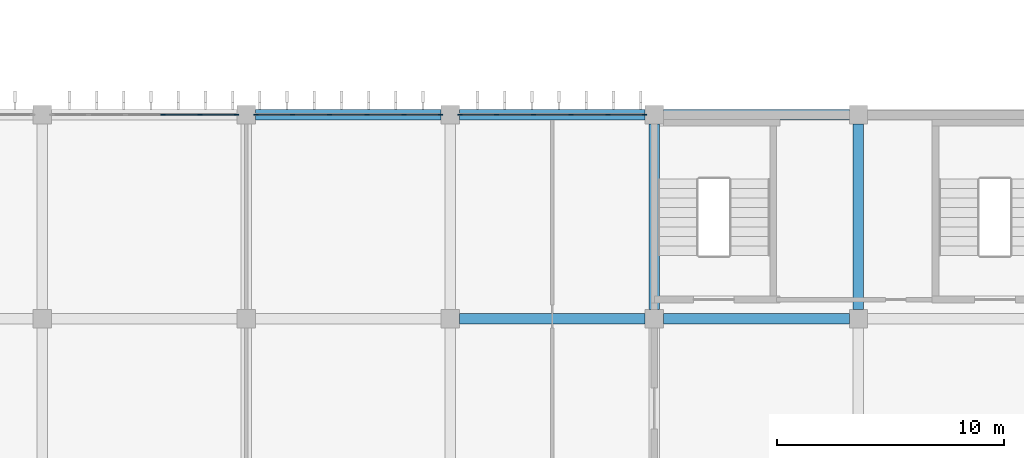
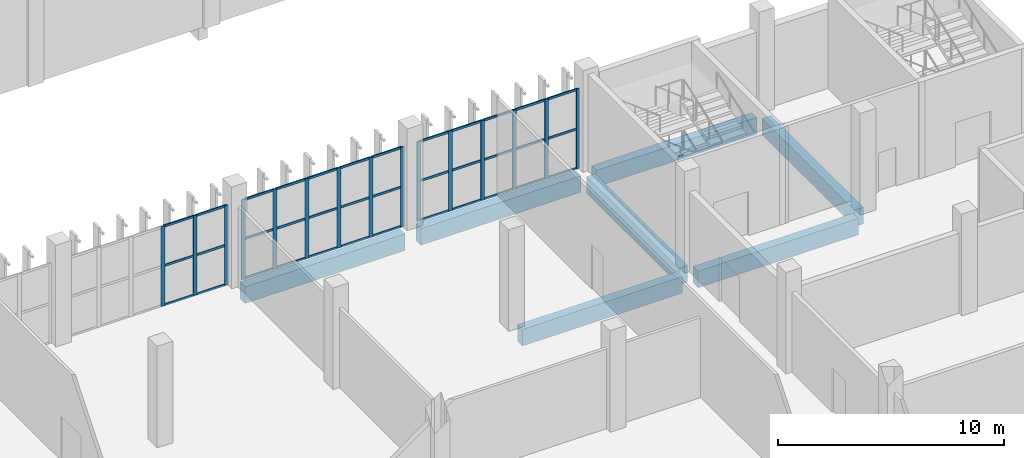
# One storey, part 28 of 185: 51 members, 7 beams, 3 elements without a shape of their own.
"""IFC4 building model written with IfcOpenShell, lengths in metres."""

from ifc_helpers import new_model, si_unit, direction, frame, origin, origin_2d, place, context, subcontext, project, spatial, rectangle, extrude, material, layer, layer_set, material_profile, profile_set, type_object, element, aggregate, save


model = new_model("IFC4")

# Units and contexts
model_context = context("Model", 3, precision=1e-05, world=origin(), true_north=direction((0.0, 1.0)))
body_context = subcontext(model_context, "Body", "Model", "MODEL_VIEW")
ifc_project = project(units=[si_unit("LENGTHUNIT", "METRE"), si_unit("AREAUNIT", "SQUARE_METRE"), si_unit("VOLUMEUNIT", "CUBIC_METRE"), si_unit("PLANEANGLEUNIT", "RADIAN"), si_unit("MASSUNIT", "GRAM", prefix="KILO")], contexts=[model_context])

# Site, building, storey
site_placement = place(None, origin())
site = spatial("IfcSite", under=ifc_project, at=site_placement, CompositionType="ELEMENT")
building_placement = place(site_placement, origin())
building = spatial("IfcBuilding", under=site, at=building_placement, Name="Opaline Strait Convention Centre", CompositionType="ELEMENT")
storey_placement = place(building_placement, frame((0.0, 0.0, 6.0)))
storey = spatial("IfcBuildingStorey", under=building, at=storey_placement, Name="L01", CompositionType="ELEMENT", Elevation=6.0)

# Curtain wall, members
ifc_material_1 = material(Name="Aluminium framed double glazing", Category="aluminium")
ifc_layer = layer(ifc_material_1, 0.199951171875)
ifc_layer_set = layer_set([ifc_layer], Name="Aluminium framed double glazing")
curtain_wall_type = type_object("IfcCurtainWallType", Name="Curtain wall 1500 module", PredefinedType="NOTDEFINED", material=ifc_layer_set)
curtain_wall_1_placement = place(storey_placement, origin())
curtain_wall_1 = element("IfcCurtainWall", 1, at=curtain_wall_1_placement, inside=storey, type_object=curtain_wall_type, Name="L01 N facade glazing bay 4", PredefinedType="NOTDEFINED")
ifc_material_2 = material(Name="Aluminium alloy 6063", Category="aluminium")
ifc_material_profile_1 = material_profile(ifc_material_2, rectangle(XDim=0.06005859375, YDim=0.199951171875, at=origin_2d()), Name="Curtain wall mullion 60x200")
ifc_profile_set_1 = profile_set([ifc_material_profile_1], Name="Aluminium alloy 6063")
member_type_1 = type_object("IfcMemberType", Name="Curtain wall mullion 60x200", PredefinedType="MULLION", material=ifc_profile_set_1)
member_1_placement = place(storey_placement, frame((41.320068359375, 99.0, 0.0), z_axis=(0.0, 0.0, 1.0), x_axis=(0.0, 1.0, 0.0)))
member_1 = element("IfcMember", 2, at=member_1_placement, type_object=member_type_1, Name="RCW1 mullion 4", PredefinedType="MULLION", context=body_context, shape_type="SweptSolid", body=[
    extrude(rectangle(XDim=0.06005859375, YDim=0.199951171875, at=origin_2d()), origin(), (0.0, 0.0, 1.0), 4.320068359375),
])
member_2_placement = place(storey_placement, frame((42.9599609375, 99.0, 0.0), z_axis=(0.0, 0.0, 1.0), x_axis=(0.0, 1.0, 0.0)))
member_2 = element("IfcMember", 3, at=member_2_placement, type_object=member_type_1, Name="RCW1 mullion 5", PredefinedType="MULLION", context=body_context, shape_type="SweptSolid", body=[
    extrude(rectangle(XDim=0.06005859375, YDim=0.199951171875, at=origin_2d()), origin(), (0.0, 0.0, 1.0), 4.320068359375),
])
member_3_placement = place(storey_placement, frame((44.570068359375, 99.0, 0.0), z_axis=(0.0, 0.0, 1.0), x_axis=(0.0, 1.0, 0.0)))
member_3 = element("IfcMember", 4, at=member_3_placement, type_object=member_type_1, Name="RCW1 mullion 6", PredefinedType="MULLION", context=body_context, shape_type="SweptSolid", body=[
    extrude(rectangle(XDim=0.06005859375, YDim=0.199951171875, at=origin_2d()), origin(), (0.0, 0.0, 1.0), 4.320068359375),
])

curtain_wall_2_placement = place(storey_placement, origin())
curtain_wall_2 = element("IfcCurtainWall", 5, at=curtain_wall_2_placement, inside=storey, type_object=curtain_wall_type, Name="L01 N facade glazing bay 5", PredefinedType="NOTDEFINED")
member_4_placement = place(storey_placement, frame((45.429931640625, 99.0, 0.0), z_axis=(0.0, 0.0, 1.0), x_axis=(0.0, 1.0, 0.0)))
member_4 = element("IfcMember", 6, at=member_4_placement, type_object=member_type_1, Name="RCW1 mullion 1", PredefinedType="MULLION", context=body_context, shape_type="SweptSolid", body=[
    extrude(rectangle(XDim=0.06005859375, YDim=0.199951171875, at=origin_2d()), origin(), (0.0, 0.0, 1.0), 4.320068359375),
])
member_5_placement = place(storey_placement, frame((47.0400390625, 99.0, 0.0), z_axis=(0.0, 0.0, 1.0), x_axis=(0.0, 1.0, 0.0)))
member_5 = element("IfcMember", 7, at=member_5_placement, type_object=member_type_1, Name="RCW1 mullion 2", PredefinedType="MULLION", context=body_context, shape_type="SweptSolid", body=[
    extrude(rectangle(XDim=0.06005859375, YDim=0.199951171875, at=origin_2d()), origin(), (0.0, 0.0, 1.0), 4.320068359375),
])
member_6_placement = place(storey_placement, frame((48.679931640625, 99.0, 0.0), z_axis=(0.0, 0.0, 1.0), x_axis=(0.0, 1.0, 0.0)))
member_6 = element("IfcMember", 8, at=member_6_placement, type_object=member_type_1, Name="RCW1 mullion 3", PredefinedType="MULLION", context=body_context, shape_type="SweptSolid", body=[
    extrude(rectangle(XDim=0.06005859375, YDim=0.199951171875, at=origin_2d()), origin(), (0.0, 0.0, 1.0), 4.320068359375),
])
member_7_placement = place(storey_placement, frame((50.320068359375, 99.0, 0.0), z_axis=(0.0, 0.0, 1.0), x_axis=(0.0, 1.0, 0.0)))
member_7 = element("IfcMember", 9, at=member_7_placement, type_object=member_type_1, Name="RCW1 mullion 4", PredefinedType="MULLION", context=body_context, shape_type="SweptSolid", body=[
    extrude(rectangle(XDim=0.06005859375, YDim=0.199951171875, at=origin_2d()), origin(), (0.0, 0.0, 1.0), 4.320068359375),
])
member_8_placement = place(storey_placement, frame((51.9599609375, 99.0, 0.0), z_axis=(0.0, 0.0, 1.0), x_axis=(0.0, 1.0, 0.0)))
member_8 = element("IfcMember", 10, at=member_8_placement, type_object=member_type_1, Name="RCW1 mullion 5", PredefinedType="MULLION", context=body_context, shape_type="SweptSolid", body=[
    extrude(rectangle(XDim=0.06005859375, YDim=0.199951171875, at=origin_2d()), origin(), (0.0, 0.0, 1.0), 4.320068359375),
])
member_9_placement = place(storey_placement, frame((53.570068359375, 99.0, 0.0), z_axis=(0.0, 0.0, 1.0), x_axis=(0.0, 1.0, 0.0)))
member_9 = element("IfcMember", 11, at=member_9_placement, type_object=member_type_1, Name="RCW1 mullion 6", PredefinedType="MULLION", context=body_context, shape_type="SweptSolid", body=[
    extrude(rectangle(XDim=0.06005859375, YDim=0.199951171875, at=origin_2d()), origin(), (0.0, 0.0, 1.0), 4.320068359375),
])

curtain_wall_3_placement = place(storey_placement, origin())
curtain_wall_3 = element("IfcCurtainWall", 12, at=curtain_wall_3_placement, inside=storey, type_object=curtain_wall_type, Name="L01 N facade glazing bay 6", PredefinedType="NOTDEFINED")
member_10_placement = place(storey_placement, frame((54.429931640625, 99.0, 0.0), z_axis=(0.0, 0.0, 1.0), x_axis=(0.0, 1.0, 0.0)))
member_10 = element("IfcMember", 13, at=member_10_placement, type_object=member_type_1, Name="RCW1 mullion 1", PredefinedType="MULLION", context=body_context, shape_type="SweptSolid", body=[
    extrude(rectangle(XDim=0.06005859375, YDim=0.199951171875, at=origin_2d()), origin(), (0.0, 0.0, 1.0), 4.320068359375),
])
member_11_placement = place(storey_placement, frame((56.0400390625, 99.0, 0.0), z_axis=(0.0, 0.0, 1.0), x_axis=(0.0, 1.0, 0.0)))
member_11 = element("IfcMember", 14, at=member_11_placement, type_object=member_type_1, Name="RCW1 mullion 2", PredefinedType="MULLION", context=body_context, shape_type="SweptSolid", body=[
    extrude(rectangle(XDim=0.06005859375, YDim=0.199951171875, at=origin_2d()), origin(), (0.0, 0.0, 1.0), 4.320068359375),
])
member_12_placement = place(storey_placement, frame((57.679931640625, 99.0, 0.0), z_axis=(0.0, 0.0, 1.0), x_axis=(0.0, 1.0, 0.0)))
member_12 = element("IfcMember", 15, at=member_12_placement, type_object=member_type_1, Name="RCW1 mullion 3", PredefinedType="MULLION", context=body_context, shape_type="SweptSolid", body=[
    extrude(rectangle(XDim=0.06005859375, YDim=0.199951171875, at=origin_2d()), origin(), (0.0, 0.0, 1.0), 4.320068359375),
])
member_13_placement = place(storey_placement, frame((59.320068359375, 99.0, 0.0), z_axis=(0.0, 0.0, 1.0), x_axis=(0.0, 1.0, 0.0)))
member_13 = element("IfcMember", 16, at=member_13_placement, type_object=member_type_1, Name="RCW1 mullion 4", PredefinedType="MULLION", context=body_context, shape_type="SweptSolid", body=[
    extrude(rectangle(XDim=0.06005859375, YDim=0.199951171875, at=origin_2d()), origin(), (0.0, 0.0, 1.0), 4.320068359375),
])
member_14_placement = place(storey_placement, frame((60.9599609375, 99.0, 0.0), z_axis=(0.0, 0.0, 1.0), x_axis=(0.0, 1.0, 0.0)))
member_14 = element("IfcMember", 17, at=member_14_placement, type_object=member_type_1, Name="RCW1 mullion 5", PredefinedType="MULLION", context=body_context, shape_type="SweptSolid", body=[
    extrude(rectangle(XDim=0.06005859375, YDim=0.199951171875, at=origin_2d()), origin(), (0.0, 0.0, 1.0), 4.320068359375),
])
member_15_placement = place(storey_placement, frame((62.570068359375, 99.0, 0.0), z_axis=(0.0, 0.0, 1.0), x_axis=(0.0, 1.0, 0.0)))
member_15 = element("IfcMember", 18, at=member_15_placement, type_object=member_type_1, Name="RCW1 mullion 6", PredefinedType="MULLION", context=body_context, shape_type="SweptSolid", body=[
    extrude(rectangle(XDim=0.06005859375, YDim=0.199951171875, at=origin_2d()), origin(), (0.0, 0.0, 1.0), 4.320068359375),
])

# Member
ifc_material_profile_2 = material_profile(ifc_material_2, rectangle(XDim=0.06005859375, YDim=0.1201171875, at=origin_2d()), Name="Curtain wall transom 60x120")
ifc_profile_set_2 = profile_set([ifc_material_profile_2], Name="Aluminium alloy 6063")
member_type_2 = type_object("IfcMemberType", Name="Curtain wall transom 60x120", PredefinedType="USERDEFINED", material=ifc_profile_set_2)
member_16_placement = place(storey_placement, frame((41.35009765625, 99.0, 0.030029296875), z_axis=(1.0, 0.0, 0.0), x_axis=(0.0, 1.0, 0.0)))
member_16 = element("IfcMember", 19, at=member_16_placement, type_object=member_type_2, Name="RCW1 transom 4.1", ObjectType="TRANSOM", PredefinedType="USERDEFINED", context=body_context, shape_type="SweptSolid", body=[
    extrude(rectangle(XDim=0.06005859375, YDim=0.1201171875, at=origin_2d()), origin(), (0.0, 0.0, 1.0), 1.580078125),
])

member_17_placement = place(storey_placement, frame((41.35009765625, 99.0, 2.159912109375), z_axis=(1.0, 0.0, 0.0), x_axis=(0.0, 1.0, 0.0)))
member_17 = element("IfcMember", 20, at=member_17_placement, type_object=member_type_2, Name="RCW1 transom 4.2", ObjectType="TRANSOM", PredefinedType="USERDEFINED", context=body_context, shape_type="SweptSolid", body=[
    extrude(rectangle(XDim=0.06005859375, YDim=0.1201171875, at=origin_2d()), origin(), (0.0, 0.0, 1.0), 1.580078125),
])

member_18_placement = place(storey_placement, frame((41.35009765625, 99.0, 4.2900390625), z_axis=(1.0, 0.0, 0.0), x_axis=(0.0, 1.0, 0.0)))
member_18 = element("IfcMember", 21, at=member_18_placement, type_object=member_type_2, Name="RCW1 transom 4.3", ObjectType="TRANSOM", PredefinedType="USERDEFINED", context=body_context, shape_type="SweptSolid", body=[
    extrude(rectangle(XDim=0.06005859375, YDim=0.1201171875, at=origin_2d()), origin(), (0.0, 0.0, 1.0), 1.580078125),
])

member_19_placement = place(storey_placement, frame((42.989990234375, 99.0, 0.030029296875), z_axis=(1.0, 0.0, 0.0), x_axis=(0.0, 1.0, 0.0)))
member_19 = element("IfcMember", 22, at=member_19_placement, type_object=member_type_2, Name="RCW1 transom 5.1", ObjectType="TRANSOM", PredefinedType="USERDEFINED", context=body_context, shape_type="SweptSolid", body=[
    extrude(rectangle(XDim=0.06005859375, YDim=0.1201171875, at=origin_2d()), origin(), (0.0, 0.0, 1.0), 1.550048828125),
])

member_20_placement = place(storey_placement, frame((42.989990234375, 99.0, 2.159912109375), z_axis=(1.0, 0.0, 0.0), x_axis=(0.0, 1.0, 0.0)))
member_20 = element("IfcMember", 23, at=member_20_placement, type_object=member_type_2, Name="RCW1 transom 5.2", ObjectType="TRANSOM", PredefinedType="USERDEFINED", context=body_context, shape_type="SweptSolid", body=[
    extrude(rectangle(XDim=0.06005859375, YDim=0.1201171875, at=origin_2d()), origin(), (0.0, 0.0, 1.0), 1.550048828125),
])

member_21_placement = place(storey_placement, frame((42.989990234375, 99.0, 4.2900390625), z_axis=(1.0, 0.0, 0.0), x_axis=(0.0, 1.0, 0.0)))
member_21 = element("IfcMember", 24, at=member_21_placement, type_object=member_type_2, Name="RCW1 transom 5.3", ObjectType="TRANSOM", PredefinedType="USERDEFINED", context=body_context, shape_type="SweptSolid", body=[
    extrude(rectangle(XDim=0.06005859375, YDim=0.1201171875, at=origin_2d()), origin(), (0.0, 0.0, 1.0), 1.550048828125),
])

aggregate(curtain_wall_1, [member_1, member_2, member_3, member_16, member_17, member_18, member_19, member_20, member_21])

member_22_placement = place(storey_placement, frame((45.4599609375, 99.0, 0.030029296875), z_axis=(1.0, 0.0, 0.0), x_axis=(0.0, 1.0, 0.0)))
member_22 = element("IfcMember", 25, at=member_22_placement, type_object=member_type_2, Name="RCW1 transom 1.1", ObjectType="TRANSOM", PredefinedType="USERDEFINED", context=body_context, shape_type="SweptSolid", body=[
    extrude(rectangle(XDim=0.06005859375, YDim=0.1201171875, at=origin_2d()), origin(), (0.0, 0.0, 1.0), 1.550048828125),
])

member_23_placement = place(storey_placement, frame((45.4599609375, 99.0, 2.159912109375), z_axis=(1.0, 0.0, 0.0), x_axis=(0.0, 1.0, 0.0)))
member_23 = element("IfcMember", 26, at=member_23_placement, type_object=member_type_2, Name="RCW1 transom 1.2", ObjectType="TRANSOM", PredefinedType="USERDEFINED", context=body_context, shape_type="SweptSolid", body=[
    extrude(rectangle(XDim=0.06005859375, YDim=0.1201171875, at=origin_2d()), origin(), (0.0, 0.0, 1.0), 1.550048828125),
])

member_24_placement = place(storey_placement, frame((45.4599609375, 99.0, 4.2900390625), z_axis=(1.0, 0.0, 0.0), x_axis=(0.0, 1.0, 0.0)))
member_24 = element("IfcMember", 27, at=member_24_placement, type_object=member_type_2, Name="RCW1 transom 1.3", ObjectType="TRANSOM", PredefinedType="USERDEFINED", context=body_context, shape_type="SweptSolid", body=[
    extrude(rectangle(XDim=0.06005859375, YDim=0.1201171875, at=origin_2d()), origin(), (0.0, 0.0, 1.0), 1.550048828125),
])

member_25_placement = place(storey_placement, frame((47.06982421875, 99.0, 0.030029296875), z_axis=(1.0, 0.0, 0.0), x_axis=(0.0, 1.0, 0.0)))
member_25 = element("IfcMember", 28, at=member_25_placement, type_object=member_type_2, Name="RCW1 transom 2.1", ObjectType="TRANSOM", PredefinedType="USERDEFINED", context=body_context, shape_type="SweptSolid", body=[
    extrude(rectangle(XDim=0.06005859375, YDim=0.1201171875, at=origin_2d()), origin(), (0.0, 0.0, 1.0), 1.580078125),
])

member_26_placement = place(storey_placement, frame((47.06982421875, 99.0, 2.159912109375), z_axis=(1.0, 0.0, 0.0), x_axis=(0.0, 1.0, 0.0)))
member_26 = element("IfcMember", 29, at=member_26_placement, type_object=member_type_2, Name="RCW1 transom 2.2", ObjectType="TRANSOM", PredefinedType="USERDEFINED", context=body_context, shape_type="SweptSolid", body=[
    extrude(rectangle(XDim=0.06005859375, YDim=0.1201171875, at=origin_2d()), origin(), (0.0, 0.0, 1.0), 1.580078125),
])

member_27_placement = place(storey_placement, frame((47.06982421875, 99.0, 4.2900390625), z_axis=(1.0, 0.0, 0.0), x_axis=(0.0, 1.0, 0.0)))
member_27 = element("IfcMember", 30, at=member_27_placement, type_object=member_type_2, Name="RCW1 transom 2.3", ObjectType="TRANSOM", PredefinedType="USERDEFINED", context=body_context, shape_type="SweptSolid", body=[
    extrude(rectangle(XDim=0.06005859375, YDim=0.1201171875, at=origin_2d()), origin(), (0.0, 0.0, 1.0), 1.580078125),
])

member_28_placement = place(storey_placement, frame((48.7099609375, 99.0, 0.030029296875), z_axis=(1.0, 0.0, 0.0), x_axis=(0.0, 1.0, 0.0)))
member_28 = element("IfcMember", 31, at=member_28_placement, type_object=member_type_2, Name="RCW1 transom 3.1", ObjectType="TRANSOM", PredefinedType="USERDEFINED", context=body_context, shape_type="SweptSolid", body=[
    extrude(rectangle(XDim=0.06005859375, YDim=0.1201171875, at=origin_2d()), origin(), (0.0, 0.0, 1.0), 1.580078125),
])

member_29_placement = place(storey_placement, frame((48.7099609375, 99.0, 2.159912109375), z_axis=(1.0, 0.0, 0.0), x_axis=(0.0, 1.0, 0.0)))
member_29 = element("IfcMember", 32, at=member_29_placement, type_object=member_type_2, Name="RCW1 transom 3.2", ObjectType="TRANSOM", PredefinedType="USERDEFINED", context=body_context, shape_type="SweptSolid", body=[
    extrude(rectangle(XDim=0.06005859375, YDim=0.1201171875, at=origin_2d()), origin(), (0.0, 0.0, 1.0), 1.580078125),
])

member_30_placement = place(storey_placement, frame((48.7099609375, 99.0, 4.2900390625), z_axis=(1.0, 0.0, 0.0), x_axis=(0.0, 1.0, 0.0)))
member_30 = element("IfcMember", 33, at=member_30_placement, type_object=member_type_2, Name="RCW1 transom 3.3", ObjectType="TRANSOM", PredefinedType="USERDEFINED", context=body_context, shape_type="SweptSolid", body=[
    extrude(rectangle(XDim=0.06005859375, YDim=0.1201171875, at=origin_2d()), origin(), (0.0, 0.0, 1.0), 1.580078125),
])

member_31_placement = place(storey_placement, frame((50.35009765625, 99.0, 0.030029296875), z_axis=(1.0, 0.0, 0.0), x_axis=(0.0, 1.0, 0.0)))
member_31 = element("IfcMember", 34, at=member_31_placement, type_object=member_type_2, Name="RCW1 transom 4.1", ObjectType="TRANSOM", PredefinedType="USERDEFINED", context=body_context, shape_type="SweptSolid", body=[
    extrude(rectangle(XDim=0.06005859375, YDim=0.1201171875, at=origin_2d()), origin(), (0.0, 0.0, 1.0), 1.580078125),
])

member_32_placement = place(storey_placement, frame((50.35009765625, 99.0, 2.159912109375), z_axis=(1.0, 0.0, 0.0), x_axis=(0.0, 1.0, 0.0)))
member_32 = element("IfcMember", 35, at=member_32_placement, type_object=member_type_2, Name="RCW1 transom 4.2", ObjectType="TRANSOM", PredefinedType="USERDEFINED", context=body_context, shape_type="SweptSolid", body=[
    extrude(rectangle(XDim=0.06005859375, YDim=0.1201171875, at=origin_2d()), origin(), (0.0, 0.0, 1.0), 1.580078125),
])

member_33_placement = place(storey_placement, frame((50.35009765625, 99.0, 4.2900390625), z_axis=(1.0, 0.0, 0.0), x_axis=(0.0, 1.0, 0.0)))
member_33 = element("IfcMember", 36, at=member_33_placement, type_object=member_type_2, Name="RCW1 transom 4.3", ObjectType="TRANSOM", PredefinedType="USERDEFINED", context=body_context, shape_type="SweptSolid", body=[
    extrude(rectangle(XDim=0.06005859375, YDim=0.1201171875, at=origin_2d()), origin(), (0.0, 0.0, 1.0), 1.580078125),
])

member_34_placement = place(storey_placement, frame((51.989990234375, 99.0, 0.030029296875), z_axis=(1.0, 0.0, 0.0), x_axis=(0.0, 1.0, 0.0)))
member_34 = element("IfcMember", 37, at=member_34_placement, type_object=member_type_2, Name="RCW1 transom 5.1", ObjectType="TRANSOM", PredefinedType="USERDEFINED", context=body_context, shape_type="SweptSolid", body=[
    extrude(rectangle(XDim=0.06005859375, YDim=0.1201171875, at=origin_2d()), origin(), (0.0, 0.0, 1.0), 1.550048828125),
])

member_35_placement = place(storey_placement, frame((51.989990234375, 99.0, 2.159912109375), z_axis=(1.0, 0.0, 0.0), x_axis=(0.0, 1.0, 0.0)))
member_35 = element("IfcMember", 38, at=member_35_placement, type_object=member_type_2, Name="RCW1 transom 5.2", ObjectType="TRANSOM", PredefinedType="USERDEFINED", context=body_context, shape_type="SweptSolid", body=[
    extrude(rectangle(XDim=0.06005859375, YDim=0.1201171875, at=origin_2d()), origin(), (0.0, 0.0, 1.0), 1.550048828125),
])

member_36_placement = place(storey_placement, frame((51.989990234375, 99.0, 4.2900390625), z_axis=(1.0, 0.0, 0.0), x_axis=(0.0, 1.0, 0.0)))
member_36 = element("IfcMember", 39, at=member_36_placement, type_object=member_type_2, Name="RCW1 transom 5.3", ObjectType="TRANSOM", PredefinedType="USERDEFINED", context=body_context, shape_type="SweptSolid", body=[
    extrude(rectangle(XDim=0.06005859375, YDim=0.1201171875, at=origin_2d()), origin(), (0.0, 0.0, 1.0), 1.550048828125),
])

aggregate(curtain_wall_2, [member_4, member_5, member_6, member_7, member_8, member_9, member_22, member_23, member_24, member_25, member_26, member_27, member_28, member_29, member_30, member_31, member_32, member_33, member_34, member_35, member_36])

member_37_placement = place(storey_placement, frame((54.4599609375, 99.0, 0.030029296875), z_axis=(1.0, 0.0, 0.0), x_axis=(0.0, 1.0, 0.0)))
member_37 = element("IfcMember", 40, at=member_37_placement, type_object=member_type_2, Name="RCW1 transom 1.1", ObjectType="TRANSOM", PredefinedType="USERDEFINED", context=body_context, shape_type="SweptSolid", body=[
    extrude(rectangle(XDim=0.06005859375, YDim=0.1201171875, at=origin_2d()), origin(), (0.0, 0.0, 1.0), 1.550048828125),
])

member_38_placement = place(storey_placement, frame((54.4599609375, 99.0, 2.159912109375), z_axis=(1.0, 0.0, 0.0), x_axis=(0.0, 1.0, 0.0)))
member_38 = element("IfcMember", 41, at=member_38_placement, type_object=member_type_2, Name="RCW1 transom 1.2", ObjectType="TRANSOM", PredefinedType="USERDEFINED", context=body_context, shape_type="SweptSolid", body=[
    extrude(rectangle(XDim=0.06005859375, YDim=0.1201171875, at=origin_2d()), origin(), (0.0, 0.0, 1.0), 1.550048828125),
])

member_39_placement = place(storey_placement, frame((54.4599609375, 99.0, 4.2900390625), z_axis=(1.0, 0.0, 0.0), x_axis=(0.0, 1.0, 0.0)))
member_39 = element("IfcMember", 42, at=member_39_placement, type_object=member_type_2, Name="RCW1 transom 1.3", ObjectType="TRANSOM", PredefinedType="USERDEFINED", context=body_context, shape_type="SweptSolid", body=[
    extrude(rectangle(XDim=0.06005859375, YDim=0.1201171875, at=origin_2d()), origin(), (0.0, 0.0, 1.0), 1.550048828125),
])

member_40_placement = place(storey_placement, frame((56.06982421875, 99.0, 0.030029296875), z_axis=(1.0, 0.0, 0.0), x_axis=(0.0, 1.0, 0.0)))
member_40 = element("IfcMember", 43, at=member_40_placement, type_object=member_type_2, Name="RCW1 transom 2.1", ObjectType="TRANSOM", PredefinedType="USERDEFINED", context=body_context, shape_type="SweptSolid", body=[
    extrude(rectangle(XDim=0.06005859375, YDim=0.1201171875, at=origin_2d()), origin(), (0.0, 0.0, 1.0), 1.580078125),
])

member_41_placement = place(storey_placement, frame((56.06982421875, 99.0, 2.159912109375), z_axis=(1.0, 0.0, 0.0), x_axis=(0.0, 1.0, 0.0)))
member_41 = element("IfcMember", 44, at=member_41_placement, type_object=member_type_2, Name="RCW1 transom 2.2", ObjectType="TRANSOM", PredefinedType="USERDEFINED", context=body_context, shape_type="SweptSolid", body=[
    extrude(rectangle(XDim=0.06005859375, YDim=0.1201171875, at=origin_2d()), origin(), (0.0, 0.0, 1.0), 1.580078125),
])

member_42_placement = place(storey_placement, frame((56.06982421875, 99.0, 4.2900390625), z_axis=(1.0, 0.0, 0.0), x_axis=(0.0, 1.0, 0.0)))
member_42 = element("IfcMember", 45, at=member_42_placement, type_object=member_type_2, Name="RCW1 transom 2.3", ObjectType="TRANSOM", PredefinedType="USERDEFINED", context=body_context, shape_type="SweptSolid", body=[
    extrude(rectangle(XDim=0.06005859375, YDim=0.1201171875, at=origin_2d()), origin(), (0.0, 0.0, 1.0), 1.580078125),
])

member_43_placement = place(storey_placement, frame((57.7099609375, 99.0, 0.030029296875), z_axis=(1.0, 0.0, 0.0), x_axis=(0.0, 1.0, 0.0)))
member_43 = element("IfcMember", 46, at=member_43_placement, type_object=member_type_2, Name="RCW1 transom 3.1", ObjectType="TRANSOM", PredefinedType="USERDEFINED", context=body_context, shape_type="SweptSolid", body=[
    extrude(rectangle(XDim=0.06005859375, YDim=0.1201171875, at=origin_2d()), origin(), (0.0, 0.0, 1.0), 1.580078125),
])

member_44_placement = place(storey_placement, frame((57.7099609375, 99.0, 2.159912109375), z_axis=(1.0, 0.0, 0.0), x_axis=(0.0, 1.0, 0.0)))
member_44 = element("IfcMember", 47, at=member_44_placement, type_object=member_type_2, Name="RCW1 transom 3.2", ObjectType="TRANSOM", PredefinedType="USERDEFINED", context=body_context, shape_type="SweptSolid", body=[
    extrude(rectangle(XDim=0.06005859375, YDim=0.1201171875, at=origin_2d()), origin(), (0.0, 0.0, 1.0), 1.580078125),
])

member_45_placement = place(storey_placement, frame((57.7099609375, 99.0, 4.2900390625), z_axis=(1.0, 0.0, 0.0), x_axis=(0.0, 1.0, 0.0)))
member_45 = element("IfcMember", 48, at=member_45_placement, type_object=member_type_2, Name="RCW1 transom 3.3", ObjectType="TRANSOM", PredefinedType="USERDEFINED", context=body_context, shape_type="SweptSolid", body=[
    extrude(rectangle(XDim=0.06005859375, YDim=0.1201171875, at=origin_2d()), origin(), (0.0, 0.0, 1.0), 1.580078125),
])

member_46_placement = place(storey_placement, frame((59.35009765625, 99.0, 0.030029296875), z_axis=(1.0, 0.0, 0.0), x_axis=(0.0, 1.0, 0.0)))
member_46 = element("IfcMember", 49, at=member_46_placement, type_object=member_type_2, Name="RCW1 transom 4.1", ObjectType="TRANSOM", PredefinedType="USERDEFINED", context=body_context, shape_type="SweptSolid", body=[
    extrude(rectangle(XDim=0.06005859375, YDim=0.1201171875, at=origin_2d()), origin(), (0.0, 0.0, 1.0), 1.580078125),
])

member_47_placement = place(storey_placement, frame((59.35009765625, 99.0, 2.159912109375), z_axis=(1.0, 0.0, 0.0), x_axis=(0.0, 1.0, 0.0)))
member_47 = element("IfcMember", 50, at=member_47_placement, type_object=member_type_2, Name="RCW1 transom 4.2", ObjectType="TRANSOM", PredefinedType="USERDEFINED", context=body_context, shape_type="SweptSolid", body=[
    extrude(rectangle(XDim=0.06005859375, YDim=0.1201171875, at=origin_2d()), origin(), (0.0, 0.0, 1.0), 1.580078125),
])

member_48_placement = place(storey_placement, frame((59.35009765625, 99.0, 4.2900390625), z_axis=(1.0, 0.0, 0.0), x_axis=(0.0, 1.0, 0.0)))
member_48 = element("IfcMember", 51, at=member_48_placement, type_object=member_type_2, Name="RCW1 transom 4.3", ObjectType="TRANSOM", PredefinedType="USERDEFINED", context=body_context, shape_type="SweptSolid", body=[
    extrude(rectangle(XDim=0.06005859375, YDim=0.1201171875, at=origin_2d()), origin(), (0.0, 0.0, 1.0), 1.580078125),
])

member_49_placement = place(storey_placement, frame((60.989990234375, 99.0, 0.030029296875), z_axis=(1.0, 0.0, 0.0), x_axis=(0.0, 1.0, 0.0)))
member_49 = element("IfcMember", 52, at=member_49_placement, type_object=member_type_2, Name="RCW1 transom 5.1", ObjectType="TRANSOM", PredefinedType="USERDEFINED", context=body_context, shape_type="SweptSolid", body=[
    extrude(rectangle(XDim=0.06005859375, YDim=0.1201171875, at=origin_2d()), origin(), (0.0, 0.0, 1.0), 1.550048828125),
])

member_50_placement = place(storey_placement, frame((60.989990234375, 99.0, 2.159912109375), z_axis=(1.0, 0.0, 0.0), x_axis=(0.0, 1.0, 0.0)))
member_50 = element("IfcMember", 53, at=member_50_placement, type_object=member_type_2, Name="RCW1 transom 5.2", ObjectType="TRANSOM", PredefinedType="USERDEFINED", context=body_context, shape_type="SweptSolid", body=[
    extrude(rectangle(XDim=0.06005859375, YDim=0.1201171875, at=origin_2d()), origin(), (0.0, 0.0, 1.0), 1.550048828125),
])

member_51_placement = place(storey_placement, frame((60.989990234375, 99.0, 4.2900390625), z_axis=(1.0, 0.0, 0.0), x_axis=(0.0, 1.0, 0.0)))
member_51 = element("IfcMember", 54, at=member_51_placement, type_object=member_type_2, Name="RCW1 transom 5.3", ObjectType="TRANSOM", PredefinedType="USERDEFINED", context=body_context, shape_type="SweptSolid", body=[
    extrude(rectangle(XDim=0.06005859375, YDim=0.1201171875, at=origin_2d()), origin(), (0.0, 0.0, 1.0), 1.550048828125),
])

aggregate(curtain_wall_3, [member_10, member_11, member_12, member_13, member_14, member_15, member_37, member_38, member_39, member_40, member_41, member_42, member_43, member_44, member_45, member_46, member_47, member_48, member_49, member_50, member_51])

# Beams
ifc_material_3 = material(Name="Concrete C35", Category="concrete")
ifc_material_profile_3 = material_profile(ifc_material_3, rectangle(XDim=0.449951171875, YDim=0.89990234375, at=origin_2d()), Name="RC 450x900")
ifc_profile_set_3 = profile_set([ifc_material_profile_3], Name="Concrete C35")
beam_type = type_object("IfcBeamType", Name="RC beam 450x900 C35", PredefinedType="BEAM", material=ifc_profile_set_3)
for number, where, z_axis, x_axis, name in (
    (55, (54.39990234375, 90.0, -0.72998046875), (1.0, 0.0, 0.0), (0.0, 1.0, 0.0), "XB1 L01 54/90-63/90"),
    (56, (63.39990234375, 90.0, -0.72998046875), (1.0, 0.0, 0.0), (0.0, 1.0, 0.0), "XB1 L01 63/90-72/90"),
    (57, (45.39990234375, 99.0, -0.72998046875), (1.0, 0.0, 0.0), (0.0, 1.0, 0.0), "XB1 L01 45/99-54/99"),
    (58, (54.39990234375, 99.0, -0.72998046875), (1.0, 0.0, 0.0), (0.0, 1.0, 0.0), "XB1 L01 54/99-63/99"),
    (59, (63.39990234375, 99.0, -0.72998046875), (1.0, 0.0, 0.0), (0.0, 1.0, 0.0), "XB1 L01 63/99-72/99"),
    (60, (63.0, 90.39990234375, -0.72998046875), (0.0, 1.0, 0.0), (-1.0, 0.0, 0.0), "XB1 L01 63/90-63/99"),
    (61, (72.0, 90.39990234375, -0.72998046875), (0.0, 1.0, 0.0), (-1.0, 0.0, 0.0), "XB1 L01 72/90-72/99"),
):
    element("IfcBeam", number, at=place(storey_placement, frame(where, z_axis=z_axis, x_axis=x_axis)), inside=storey, type_object=beam_type, Name=name, PredefinedType="BEAM", context=body_context, shape_type="SweptSolid", body=[
        extrude(rectangle(XDim=0.449951171875, YDim=0.89990234375, at=origin_2d()), origin(), (0.0, 0.0, 1.0), 8.2001953125),
    ])

save(model, "model.ifc")
